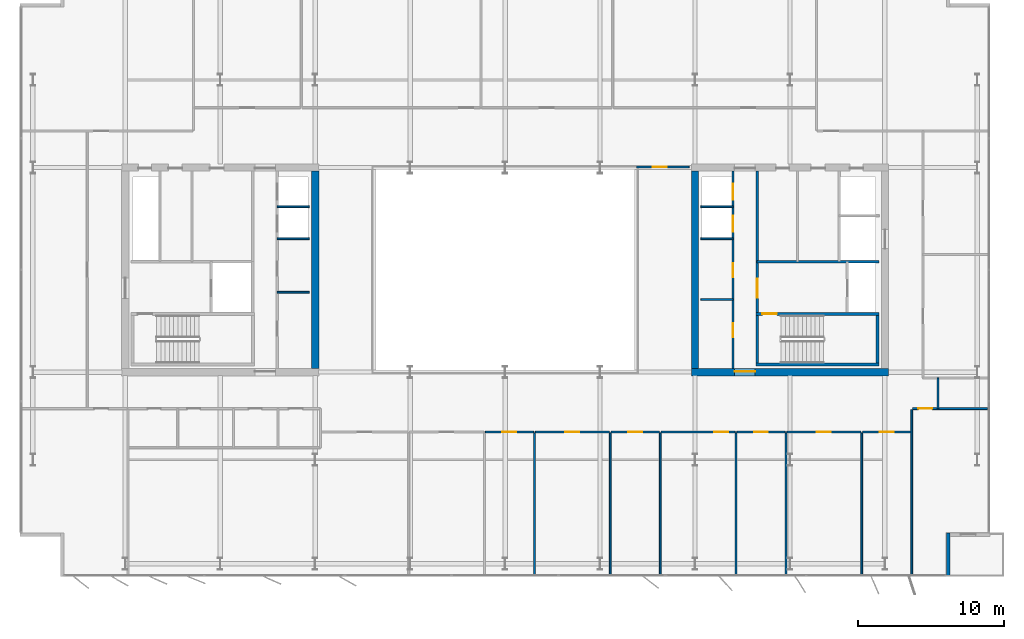
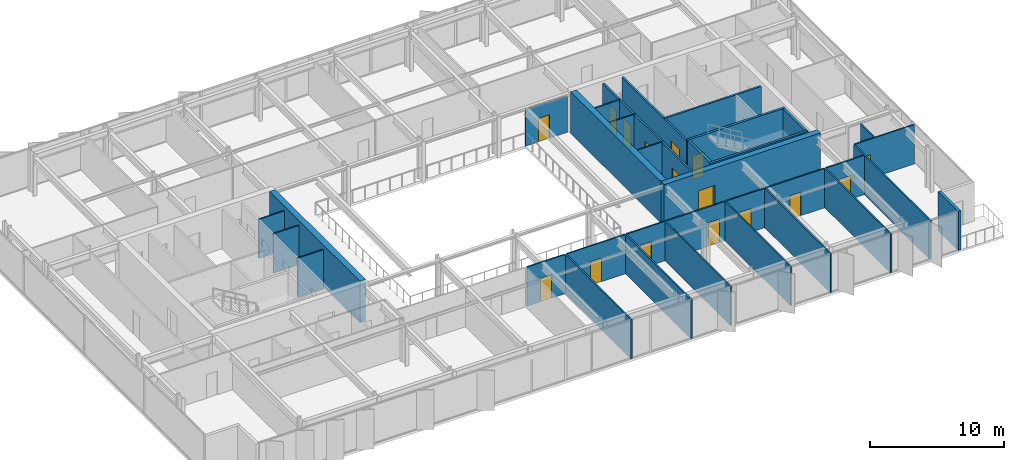
# One storey, part 18 of 24: 34 walls, 16 doors, 16 openings.
"""IFC4 building model written with IfcOpenShell, lengths in metres."""

from ifc_helpers import new_model, si_unit, direction, frame, frame_2d, origin, place, context, subcontext, project, spatial, rectangle, extrude, material, layer, layer_set, type_object, element, fill, save


model = new_model("IFC4")

# Units and contexts
model_context = context("Model", 3, precision=1e-05, world=origin(), true_north=direction((0.0, 1.0)))
body_context = subcontext(model_context, "Body", "Model", "MODEL_VIEW")
ifc_project = project(units=[si_unit("LENGTHUNIT", "METRE"), si_unit("AREAUNIT", "SQUARE_METRE"), si_unit("VOLUMEUNIT", "CUBIC_METRE"), si_unit("PLANEANGLEUNIT", "RADIAN"), si_unit("MASSUNIT", "GRAM", prefix="KILO")], contexts=[model_context])

# Site, building, storey
site_placement = place(None, origin())
site = spatial("IfcSite", under=ifc_project, at=site_placement, CompositionType="ELEMENT")
building_placement = place(site_placement, origin())
building = spatial("IfcBuilding", under=site, at=building_placement, Name="Putna Gate Headquarters", CompositionType="ELEMENT")
storey_placement = place(building_placement, frame((0.0, 0.0, 240.39990234375)))
storey = spatial("IfcBuildingStorey", under=building, at=storey_placement, Name="L60", CompositionType="ELEMENT", Elevation=240.39990234375)

# Wall
ifc_material_1 = material(Name="Concrete C50/60", Category="concrete")
ifc_layer_1 = layer(ifc_material_1, 0.5)
ifc_layer_set_1 = layer_set([ifc_layer_1], Name="Concrete C50/60")
wall_type_1 = type_object("IfcWallType", Name="WALL-CORE-500", PredefinedType="SHEAR", material=ifc_layer_set_1)
wall_1_placement = place(storey_placement, frame((26.0, 19.25, 0.0), z_axis=(0.0, 0.0, 1.0), x_axis=(0.0, 1.0, 0.0)))
element("IfcWall", 1, at=wall_1_placement, inside=storey, type_object=wall_type_1, Name="L60 WC Split Core Shear Wall E", PredefinedType="SHEAR", context=body_context, shape_type="SweptSolid", body=[
    extrude(rectangle(XDim=13.5, YDim=0.5, at=frame_2d((6.75, 0.0))), origin(), (0.0, 0.0, 1.0), 3.800048828125),
])

# Wall, opening, door
wall_2_placement = place(storey_placement, frame((51.75, 19.0, 0.0), z_axis=(0.0, 0.0, 1.0), x_axis=(1.0, 0.0, 0.0)))
wall_2 = element("IfcWall", 2, at=wall_2_placement, inside=storey, type_object=wall_type_1, Name="L60 EC Split Core Shear Wall S", PredefinedType="SHEAR", context=body_context, shape_type="SweptSolid", body=[
    extrude(rectangle(XDim=13.5, YDim=0.5, at=frame_2d((6.75, 0.0))), origin(), (0.0, 0.0, 1.0), 3.800048828125),
])
opening_1_placement = place(wall_2_placement, frame((2.969970703125, 0.0, 0.0)))
opening_1 = element("IfcOpeningElement", 3, at=opening_1_placement, cuts=wall_2, Name="Opening FDD-140", PredefinedType="OPENING", context=body_context, shape_type="SweptSolid", body=[
    extrude(rectangle(XDim=1.39990234375, YDim=2.199951171875, at=frame_2d((0.699951171875, 1.10009765625))), frame((0.0, 0.260009765625, 0.0), z_axis=(0.0, -1.0, 0.0), x_axis=(1.0, 0.0, 0.0)), (0.0, 0.0, 1.0), 0.52001953125),
])
ifc_material_2 = material(Name="Double steel fire door", Category="steel")
door_type_1 = type_object("IfcDoorType", Name="DOOR-FIRE-DBL-1400", OperationType="DOUBLE_DOOR_SINGLE_SWING", PredefinedType="DOOR", material=ifc_material_2)
door_1_placement = place(opening_1_placement, origin())
door_1 = element("IfcDoor", 4, at=door_1_placement, inside=storey, type_object=door_type_1, Name="L60 East Lift Lobby South Door", OperationType="DOUBLE_DOOR_SINGLE_SWING", OverallHeight=2.199951171875, OverallWidth=1.39990234375, PredefinedType="DOOR", context=body_context, shape_type="SweptSolid", body=[
    extrude(rectangle(XDim=1.39990234375, YDim=2.199951171875, at=frame_2d((0.699951171875, 1.10009765625))), frame((0.0, 0.0751953125, 0.0), z_axis=(0.0, -1.0, 0.0), x_axis=(1.0, 0.0, 0.0)), (0.0, 0.0, 1.0), 0.050048828125),
])
fill(opening_1, door_1)

# Walls
wall_3_placement = place(storey_placement, frame((52.0, 19.25, 0.0), z_axis=(0.0, 0.0, 1.0), x_axis=(0.0, 1.0, 0.0)))
element("IfcWall", 5, at=wall_3_placement, inside=storey, type_object=wall_type_1, Name="L60 EC Split Core Shear Wall W", PredefinedType="SHEAR", context=body_context, shape_type="SweptSolid", body=[
    extrude(rectangle(XDim=13.5, YDim=0.5, at=frame_2d((6.75, 0.0))), origin(), (0.0, 0.0, 1.0), 3.800048828125),
])
ifc_material_3 = material(Name="Precast concrete C40/50", Category="concrete")
ifc_layer_2 = layer(ifc_material_3, 0.239990234375)
ifc_layer_set_2 = layer_set([ifc_layer_2], Name="Precast concrete C40/50")
wall_type_2 = type_object("IfcWallType", Name="WALL-EXT-TERR-240", PredefinedType="STANDARD", material=ifc_layer_set_2)
wall_4_placement = place(storey_placement, frame((69.320068359375, 8.0, 0.0), z_axis=(0.0, 0.0, 1.0), x_axis=(0.0, -1.0, 0.0)))
element("IfcWall", 6, at=wall_4_placement, inside=storey, type_object=wall_type_2, Name="L60 Corner Notch Return Wall SE-V", PredefinedType="STANDARD", context=body_context, shape_type="SweptSolid", body=[
    extrude(rectangle(XDim=3.0, YDim=0.239990234375, at=frame_2d((1.5, 0.0))), origin(), (0.0, 0.0, 1.0), 3.580078125),
])

# Wall, opening, door
ifc_material_4 = material(Name="Acoustic gypsum board on metal stud")
ifc_layer_3 = layer(ifc_material_4, 0.1201171875)
ifc_layer_set_3 = layer_set([ifc_layer_3], Name="Acoustic gypsum board on metal stud")
wall_type_3 = type_object("IfcWallType", Name="WALL-PART-120", PredefinedType="PARTITIONING", material=ifc_layer_set_3)
wall_5_placement = place(storey_placement, frame((48.0, 33.0400390625, 0.0), z_axis=(0.0, 0.0, 1.0), x_axis=(1.0, 0.0, 0.0)))
wall_5 = element("IfcWall", 7, at=wall_5_placement, inside=storey, type_object=wall_type_3, Name="L60 Interior Wall PART-L60-ATR-E-N", PredefinedType="PARTITIONING", context=body_context, shape_type="SweptSolid", body=[
    extrude(rectangle(XDim=3.60009765625, YDim=0.1201171875, at=frame_2d((1.800048828125, 0.0))), origin(), (0.0, 0.0, 1.0), 3.320068359375),
])
opening_2_placement = place(wall_5_placement, frame((1.10009765625, 0.0, 0.0)))
opening_2 = element("IfcOpeningElement", 8, at=opening_2_placement, cuts=wall_5, Name="Opening ID-95", PredefinedType="OPENING", context=body_context, shape_type="SweptSolid", body=[
    extrude(rectangle(XDim=0.949951171875, YDim=2.14990234375, at=frame_2d((0.47509765625, 1.074951171875))), frame((0.0, 0.070068359375, 0.0), z_axis=(0.0, -1.0, 0.0), x_axis=(1.0, 0.0, 0.0)), (0.0, 0.0, 1.0), 0.14013671875),
])
ifc_material_5 = material(Name="Veneered acoustic timber door", Category="wood")
door_type_2 = type_object("IfcDoorType", Name="DOOR-OFF-950", OperationType="NOTDEFINED", PredefinedType="DOOR", material=ifc_material_5)
door_2_placement = place(opening_2_placement, origin())
door_2 = element("IfcDoor", 9, at=door_2_placement, inside=storey, type_object=door_type_2, Name="L60 East Sky Atrium Lounge Door", OperationType="SINGLE_SWING_LEFT", OverallHeight=2.14990234375, OverallWidth=0.949951171875, PredefinedType="DOOR", context=body_context, shape_type="SweptSolid", body=[
    extrude(rectangle(XDim=0.949951171875, YDim=2.14990234375, at=frame_2d((0.47509765625, 1.074951171875))), frame((0.0, 0.02490234375, 0.0), z_axis=(0.0, -1.0, 0.0), x_axis=(1.0, 0.0, 0.0)), (0.0, 0.0, 1.0), 0.050048828125),
])
fill(opening_2, door_2)

# Walls
for number, where, z_axis, x_axis, name in (
    (10, (41.007568359375, 5.02001953125, 0.0), (0.0, 0.0, 1.0), (0.0, 1.0, 0.0), "L60 Interior Wall PART-L60-SB-DIV-04"),
    (11, (46.197509765625, 5.02001953125, 0.0), (0.0, 0.0, 1.0), (0.0, 1.0, 0.0), "L60 Interior Wall PART-L60-SB-DIV-05"),
    (12, (49.614990234375, 5.02001953125, 0.0), (0.0, 0.0, 1.0), (0.0, 1.0, 0.0), "L60 Interior Wall PART-L60-SB-DIV-06"),
    (13, (54.804931640625, 5.02001953125, 0.0), (0.0, 0.0, 1.0), (0.0, 1.0, 0.0), "L60 Interior Wall PART-L60-SB-DIV-07"),
    (14, (58.22265625, 5.02001953125, 0.0), (0.0, 0.0, 1.0), (0.0, 1.0, 0.0), "L60 Interior Wall PART-L60-SB-DIV-08"),
    (15, (63.41259765625, 5.02001953125, 0.0), (0.0, 0.0, 1.0), (0.0, 1.0, 0.0), "L60 Interior Wall PART-L60-SB-DIV-09"),
):
    element("IfcWall", number, at=place(storey_placement, frame(where, z_axis=z_axis, x_axis=x_axis)), inside=storey, type_object=wall_type_3, Name=name, PredefinedType="PARTITIONING", context=body_context, shape_type="SweptSolid", body=[
        extrude(rectangle(XDim=9.820068359375, YDim=0.1201171875, at=frame_2d((4.91015625, 0.0))), origin(), (0.0, 0.0, 1.0), 3.580078125),
    ])
wall_6_placement = place(storey_placement, frame((66.830078125, 5.02001953125, 0.0), z_axis=(0.0, 0.0, 1.0), x_axis=(0.0, 1.0, 0.0)))
element("IfcWall", 16, at=wall_6_placement, inside=storey, type_object=wall_type_3, Name="L60 Interior Wall PART-L60-SB-DIV-10", PredefinedType="PARTITIONING", context=body_context, shape_type="SweptSolid", body=[
    extrude(rectangle(XDim=11.419921875, YDim=0.1201171875, at=frame_2d((5.7099609375, 0.0))), origin(), (0.0, 0.0, 1.0), 3.580078125),
])
ifc_material_6 = material(Name="Fire-rated shaftwall gypsum board on metal stud")
ifc_layer_4 = layer(ifc_material_6, 0.1201171875)
ifc_layer_set_4 = layer_set([ifc_layer_4], Name="Fire-rated shaftwall gypsum board on metal stud")
wall_type_4 = type_object("IfcWallType", Name="WALL-PART-120-EI120", PredefinedType="PARTITIONING", material=ifc_layer_set_4)
for number, where, z_axis, x_axis, name in (
    (17, (23.39990234375, 30.31005859375, 0.0), (0.0, 0.0, 1.0), (1.0, 0.0, 0.0), "L60 Interior Wall CWINT-L60-WC-LF09-DIV"),
    (18, (52.39990234375, 30.31005859375, 0.0), (0.0, 0.0, 1.0), (1.0, 0.0, 0.0), "L60 Interior Wall CWINT-L60-EC-LF11-DIV"),
):
    element("IfcWall", number, at=place(storey_placement, frame(where, z_axis=z_axis, x_axis=x_axis)), inside=storey, type_object=wall_type_4, Name=name, PredefinedType="PARTITIONING", context=body_context, shape_type="SweptSolid", body=[
        extrude(rectangle(XDim=2.2001953125, YDim=0.1201171875, at=frame_2d((1.10009765625, 0.0))), origin(), (0.0, 0.0, 1.0), 3.580078125),
    ])
ifc_material_7 = material(Name="Fire-rated gypsum board on metal stud")
ifc_layer_5 = layer(ifc_material_7, 0.1201171875)
ifc_layer_set_5 = layer_set([ifc_layer_5], Name="Fire-rated gypsum board on metal stud")
wall_type_5 = type_object("IfcWallType", Name="WALL-PART-120-RATED", PredefinedType="PARTITIONING", material=ifc_layer_set_5)
for number, where, z_axis, x_axis, name in (
    (19, (23.39990234375, 24.469970703125, 0.0), (0.0, 0.0, 1.0), (1.0, 0.0, 0.0), "L60 Interior Wall CWINT-L60-WC-REUSE-DIV"),
    (20, (23.39990234375, 28.1201171875, 0.0), (0.0, 0.0, 1.0), (1.0, 0.0, 0.0), "L60 Interior Wall CWINT-L60-WC-LF06-DIV"),
    (21, (52.39990234375, 23.969970703125, 0.0), (0.0, 0.0, 1.0), (1.0, 0.0, 0.0), "L60 Interior Wall CWINT-L60-EC-REUSE-DIV"),
    (22, (52.39990234375, 28.1201171875, 0.0), (0.0, 0.0, 1.0), (1.0, 0.0, 0.0), "L60 Interior Wall CWINT-L60-EC-LF08-DIV"),
):
    element("IfcWall", number, at=place(storey_placement, frame(where, z_axis=z_axis, x_axis=x_axis)), inside=storey, type_object=wall_type_5, Name=name, PredefinedType="PARTITIONING", context=body_context, shape_type="SweptSolid", body=[
        extrude(rectangle(XDim=2.2001953125, YDim=0.1201171875, at=frame_2d((1.10009765625, 0.0))), origin(), (0.0, 0.0, 1.0), 3.580078125),
    ])
wall_7_placement = place(storey_placement, frame((68.630126953125, 16.5, 0.0), z_axis=(0.0, 0.0, 1.0), x_axis=(0.0, 1.0, 0.0)))
element("IfcWall", 23, at=wall_7_placement, inside=storey, type_object=wall_type_5, Name="L60 Interior Wall PART-L60-CORRS-CAPE", PredefinedType="PARTITIONING", context=body_context, shape_type="SweptSolid", body=[
    extrude(rectangle(XDim=2.10009765625, YDim=0.1201171875, at=frame_2d((1.050048828125, 0.0))), origin(), (0.0, 0.0, 1.0), 3.580078125),
])

# Wall, opening, door
wall_8_placement = place(storey_placement, frame((37.64990234375, 14.89990234375, 0.0), z_axis=(0.0, 0.0, 1.0), x_axis=(1.0, 0.0, 0.0)))
wall_8 = element("IfcWall", 24, at=wall_8_placement, inside=storey, type_object=wall_type_5, Name="L60 Interior Wall PART-L60-SB-CW-04", PredefinedType="PARTITIONING", context=body_context, shape_type="SweptSolid", body=[
    extrude(rectangle(XDim=3.297607421875, YDim=0.1201171875, at=frame_2d((1.64892578125, 0.0))), origin(), (0.0, 0.0, 1.0), 3.580078125),
])
opening_3_placement = place(wall_8_placement, frame((1.173828125, 0.0, 0.0)))
opening_3 = element("IfcOpeningElement", 25, at=opening_3_placement, cuts=wall_8, Name="Opening FD-95", PredefinedType="OPENING", context=body_context, shape_type="SweptSolid", body=[
    extrude(rectangle(XDim=0.949951171875, YDim=2.14990234375, at=frame_2d((0.47509765625, 1.074951171875))), frame((0.0, 0.070068359375, 0.0), z_axis=(0.0, -1.0, 0.0), x_axis=(1.0, 0.0, 0.0)), (0.0, 0.0, 1.0), 0.14013671875),
])
ifc_material_8 = material(Name="Acoustic timber fire door", Category="wood")
door_type_3 = type_object("IfcDoorType", Name="DOOR-FIRE-950", OperationType="NOTDEFINED", PredefinedType="DOOR", material=ifc_material_8)
door_3_placement = place(opening_3_placement, origin())
door_3 = element("IfcDoor", 26, at=door_3_placement, inside=storey, type_object=door_type_3, Name="L60 Quiet Wellness Focus Studio 2 Door", OperationType="SINGLE_SWING_LEFT", OverallHeight=2.14990234375, OverallWidth=0.949951171875, PredefinedType="DOOR", context=body_context, shape_type="SweptSolid", body=[
    extrude(rectangle(XDim=0.949951171875, YDim=2.14990234375, at=frame_2d((0.47509765625, 1.074951171875))), frame((0.0, 0.02490234375, 0.0), z_axis=(0.0, -1.0, 0.0), x_axis=(1.0, 0.0, 0.0)), (0.0, 0.0, 1.0), 0.050048828125),
])
fill(opening_3, door_3)

wall_9_placement = place(storey_placement, frame((41.0673828125, 14.89990234375, 0.0), z_axis=(0.0, 0.0, 1.0), x_axis=(1.0, 0.0, 0.0)))
wall_9 = element("IfcWall", 27, at=wall_9_placement, inside=storey, type_object=wall_type_5, Name="L60 Interior Wall PART-L60-SB-CW-05", PredefinedType="PARTITIONING", context=body_context, shape_type="SweptSolid", body=[
    extrude(rectangle(XDim=5.070068359375, YDim=0.1201171875, at=frame_2d((2.53515625, 0.0))), origin(), (0.0, 0.0, 1.0), 3.580078125),
])
opening_4_placement = place(wall_9_placement, frame((2.06005859375, 0.0, 0.0)))
opening_4 = element("IfcOpeningElement", 28, at=opening_4_placement, cuts=wall_9, Name="Opening FD-95", PredefinedType="OPENING", context=body_context, shape_type="SweptSolid", body=[
    extrude(rectangle(XDim=0.949951171875, YDim=2.14990234375, at=frame_2d((0.47509765625, 1.074951171875))), frame((0.0, 0.070068359375, 0.0), z_axis=(0.0, -1.0, 0.0), x_axis=(1.0, 0.0, 0.0)), (0.0, 0.0, 1.0), 0.14013671875),
])
door_4_placement = place(opening_4_placement, origin())
door_4 = element("IfcDoor", 29, at=door_4_placement, inside=storey, type_object=door_type_3, Name="L60 Cellular Office 1 Door", OperationType="SINGLE_SWING_RIGHT", OverallHeight=2.14990234375, OverallWidth=0.949951171875, PredefinedType="DOOR", context=body_context, shape_type="SweptSolid", body=[
    extrude(rectangle(XDim=0.949951171875, YDim=2.14990234375, at=frame_2d((0.47509765625, 1.074951171875))), frame((0.0, 0.02490234375, 0.0), z_axis=(0.0, -1.0, 0.0), x_axis=(1.0, 0.0, 0.0)), (0.0, 0.0, 1.0), 0.050048828125),
])
fill(opening_4, door_4)

wall_10_placement = place(storey_placement, frame((46.25732421875, 14.89990234375, 0.0), z_axis=(0.0, 0.0, 1.0), x_axis=(1.0, 0.0, 0.0)))
wall_10 = element("IfcWall", 30, at=wall_10_placement, inside=storey, type_object=wall_type_5, Name="L60 Interior Wall PART-L60-SB-CW-06", PredefinedType="PARTITIONING", context=body_context, shape_type="SweptSolid", body=[
    extrude(rectangle(XDim=3.2978515625, YDim=0.1201171875, at=frame_2d((1.64892578125, 0.0))), origin(), (0.0, 0.0, 1.0), 3.580078125),
])
opening_5_placement = place(wall_10_placement, frame((1.173828125, 0.0, 0.0)))
opening_5 = element("IfcOpeningElement", 31, at=opening_5_placement, cuts=wall_10, Name="Opening FD-95", PredefinedType="OPENING", context=body_context, shape_type="SweptSolid", body=[
    extrude(rectangle(XDim=0.949951171875, YDim=2.14990234375, at=frame_2d((0.47509765625, 1.074951171875))), frame((0.0, 0.070068359375, 0.0), z_axis=(0.0, -1.0, 0.0), x_axis=(1.0, 0.0, 0.0)), (0.0, 0.0, 1.0), 0.14013671875),
])
door_5_placement = place(opening_5_placement, origin())
door_5 = element("IfcDoor", 32, at=door_5_placement, inside=storey, type_object=door_type_3, Name="L60 Cellular Office 2 Door", OperationType="SINGLE_SWING_LEFT", OverallHeight=2.14990234375, OverallWidth=0.949951171875, PredefinedType="DOOR", context=body_context, shape_type="SweptSolid", body=[
    extrude(rectangle(XDim=0.949951171875, YDim=2.14990234375, at=frame_2d((0.47509765625, 1.074951171875))), frame((0.0, 0.02490234375, 0.0), z_axis=(0.0, -1.0, 0.0), x_axis=(1.0, 0.0, 0.0)), (0.0, 0.0, 1.0), 0.050048828125),
])
fill(opening_5, door_5)

wall_11_placement = place(storey_placement, frame((49.675048828125, 14.89990234375, 0.0), z_axis=(0.0, 0.0, 1.0), x_axis=(1.0, 0.0, 0.0)))
wall_11 = element("IfcWall", 33, at=wall_11_placement, inside=storey, type_object=wall_type_5, Name="L60 Interior Wall PART-L60-SB-CW-07", PredefinedType="PARTITIONING", context=body_context, shape_type="SweptSolid", body=[
    extrude(rectangle(XDim=5.06982421875, YDim=0.1201171875, at=frame_2d((2.534912109375, 0.0))), origin(), (0.0, 0.0, 1.0), 3.580078125),
])
opening_6_placement = place(wall_11_placement, frame((3.639892578125, 0.0, 0.0)))
opening_6 = element("IfcOpeningElement", 34, at=opening_6_placement, cuts=wall_11, Name="Opening FD-95", PredefinedType="OPENING", context=body_context, shape_type="SweptSolid", body=[
    extrude(rectangle(XDim=0.949951171875, YDim=2.14990234375, at=frame_2d((0.47509765625, 1.074951171875))), frame((0.0, 0.070068359375, 0.0), z_axis=(0.0, -1.0, 0.0), x_axis=(1.0, 0.0, 0.0)), (0.0, 0.0, 1.0), 0.14013671875),
])
door_6_placement = place(opening_6_placement, origin())
door_6 = element("IfcDoor", 35, at=door_6_placement, inside=storey, type_object=door_type_3, Name="L60 Cellular Office 3 Door", OperationType="SINGLE_SWING_RIGHT", OverallHeight=2.14990234375, OverallWidth=0.949951171875, PredefinedType="DOOR", context=body_context, shape_type="SweptSolid", body=[
    extrude(rectangle(XDim=0.949951171875, YDim=2.14990234375, at=frame_2d((0.47509765625, 1.074951171875))), frame((0.0, 0.02490234375, 0.0), z_axis=(0.0, -1.0, 0.0), x_axis=(1.0, 0.0, 0.0)), (0.0, 0.0, 1.0), 0.050048828125),
])
fill(opening_6, door_6)

wall_12_placement = place(storey_placement, frame((54.864990234375, 14.89990234375, 0.0), z_axis=(0.0, 0.0, 1.0), x_axis=(1.0, 0.0, 0.0)))
wall_12 = element("IfcWall", 36, at=wall_12_placement, inside=storey, type_object=wall_type_5, Name="L60 Interior Wall PART-L60-SB-CW-08", PredefinedType="PARTITIONING", context=body_context, shape_type="SweptSolid", body=[
    extrude(rectangle(XDim=3.297607421875, YDim=0.1201171875, at=frame_2d((1.64892578125, 0.0))), origin(), (0.0, 0.0, 1.0), 3.580078125),
])
opening_7_placement = place(wall_12_placement, frame((1.173828125, 0.0, 0.0)))
opening_7 = element("IfcOpeningElement", 37, at=opening_7_placement, cuts=wall_12, Name="Opening FD-95", PredefinedType="OPENING", context=body_context, shape_type="SweptSolid", body=[
    extrude(rectangle(XDim=0.949951171875, YDim=2.14990234375, at=frame_2d((0.47509765625, 1.074951171875))), frame((0.0, 0.070068359375, 0.0), z_axis=(0.0, -1.0, 0.0), x_axis=(1.0, 0.0, 0.0)), (0.0, 0.0, 1.0), 0.14013671875),
])
door_7_placement = place(opening_7_placement, origin())
door_7 = element("IfcDoor", 38, at=door_7_placement, inside=storey, type_object=door_type_3, Name="L60 Cellular Office 4 Door", OperationType="SINGLE_SWING_LEFT", OverallHeight=2.14990234375, OverallWidth=0.949951171875, PredefinedType="DOOR", context=body_context, shape_type="SweptSolid", body=[
    extrude(rectangle(XDim=0.949951171875, YDim=2.14990234375, at=frame_2d((0.47509765625, 1.074951171875))), frame((0.0, 0.02490234375, 0.0), z_axis=(0.0, -1.0, 0.0), x_axis=(1.0, 0.0, 0.0)), (0.0, 0.0, 1.0), 0.050048828125),
])
fill(opening_7, door_7)

wall_13_placement = place(storey_placement, frame((58.28271484375, 14.89990234375, 0.0), z_axis=(0.0, 0.0, 1.0), x_axis=(1.0, 0.0, 0.0)))
wall_13 = element("IfcWall", 39, at=wall_13_placement, inside=storey, type_object=wall_type_5, Name="L60 Interior Wall PART-L60-SB-CW-09", PredefinedType="PARTITIONING", context=body_context, shape_type="SweptSolid", body=[
    extrude(rectangle(XDim=5.06982421875, YDim=0.1201171875, at=frame_2d((2.534912109375, 0.0))), origin(), (0.0, 0.0, 1.0), 3.580078125),
])
opening_8_placement = place(wall_13_placement, frame((2.059814453125, 0.0, 0.0)))
opening_8 = element("IfcOpeningElement", 40, at=opening_8_placement, cuts=wall_13, Name="Opening FD-95", PredefinedType="OPENING", context=body_context, shape_type="SweptSolid", body=[
    extrude(rectangle(XDim=0.949951171875, YDim=2.14990234375, at=frame_2d((0.47509765625, 1.074951171875))), frame((0.0, 0.070068359375, 0.0), z_axis=(0.0, -1.0, 0.0), x_axis=(1.0, 0.0, 0.0)), (0.0, 0.0, 1.0), 0.14013671875),
])
door_8_placement = place(opening_8_placement, origin())
door_8 = element("IfcDoor", 41, at=door_8_placement, inside=storey, type_object=door_type_3, Name="L60 Cellular Office 5 Door", OperationType="SINGLE_SWING_RIGHT", OverallHeight=2.14990234375, OverallWidth=0.949951171875, PredefinedType="DOOR", context=body_context, shape_type="SweptSolid", body=[
    extrude(rectangle(XDim=0.949951171875, YDim=2.14990234375, at=frame_2d((0.47509765625, 1.074951171875))), frame((0.0, 0.02490234375, 0.0), z_axis=(0.0, -1.0, 0.0), x_axis=(1.0, 0.0, 0.0)), (0.0, 0.0, 1.0), 0.050048828125),
])
fill(opening_8, door_8)

wall_14_placement = place(storey_placement, frame((63.472412109375, 14.89990234375, 0.0), z_axis=(0.0, 0.0, 1.0), x_axis=(1.0, 0.0, 0.0)))
wall_14 = element("IfcWall", 42, at=wall_14_placement, inside=storey, type_object=wall_type_5, Name="L60 Interior Wall PART-L60-SB-CW-10", PredefinedType="PARTITIONING", context=body_context, shape_type="SweptSolid", body=[
    extrude(rectangle(XDim=3.2978515625, YDim=0.1201171875, at=frame_2d((1.64892578125, 0.0))), origin(), (0.0, 0.0, 1.0), 3.580078125),
])
opening_9_placement = place(wall_14_placement, frame((1.173828125, 0.0, 0.0)))
opening_9 = element("IfcOpeningElement", 43, at=opening_9_placement, cuts=wall_14, Name="Opening FD-95", PredefinedType="OPENING", context=body_context, shape_type="SweptSolid", body=[
    extrude(rectangle(XDim=0.949951171875, YDim=2.14990234375, at=frame_2d((0.47509765625, 1.074951171875))), frame((0.0, 0.070068359375, 0.0), z_axis=(0.0, -1.0, 0.0), x_axis=(1.0, 0.0, 0.0)), (0.0, 0.0, 1.0), 0.14013671875),
])
door_9_placement = place(opening_9_placement, origin())
door_9 = element("IfcDoor", 44, at=door_9_placement, inside=storey, type_object=door_type_3, Name="L60 Cellular Office 6 Door", OperationType="SINGLE_SWING_LEFT", OverallHeight=2.14990234375, OverallWidth=0.949951171875, PredefinedType="DOOR", context=body_context, shape_type="SweptSolid", body=[
    extrude(rectangle(XDim=0.949951171875, YDim=2.14990234375, at=frame_2d((0.47509765625, 1.074951171875))), frame((0.0, 0.02490234375, 0.0), z_axis=(0.0, -1.0, 0.0), x_axis=(1.0, 0.0, 0.0)), (0.0, 0.0, 1.0), 0.050048828125),
])
fill(opening_9, door_9)

wall_15_placement = place(storey_placement, frame((66.89013671875, 16.5, 0.0), z_axis=(0.0, 0.0, 1.0), x_axis=(1.0, 0.0, 0.0)))
wall_15 = element("IfcWall", 45, at=wall_15_placement, inside=storey, type_object=wall_type_5, Name="L60 Interior Wall PART-L60-SB-CW-11", PredefinedType="PARTITIONING", context=body_context, shape_type="SweptSolid", body=[
    extrude(rectangle(XDim=5.1298828125, YDim=0.1201171875, at=frame_2d((2.56494140625, 0.0))), origin(), (0.0, 0.0, 1.0), 3.580078125),
])
opening_10_placement = place(wall_15_placement, frame((0.39501953125, 0.0, 0.0)))
opening_10 = element("IfcOpeningElement", 46, at=opening_10_placement, cuts=wall_15, Name="Opening FD-95", PredefinedType="OPENING", context=body_context, shape_type="SweptSolid", body=[
    extrude(rectangle(XDim=0.949951171875, YDim=2.14990234375, at=frame_2d((0.47509765625, 1.074951171875))), frame((0.0, 0.070068359375, 0.0), z_axis=(0.0, -1.0, 0.0), x_axis=(1.0, 0.0, 0.0)), (0.0, 0.0, 1.0), 0.14013671875),
])
door_10_placement = place(opening_10_placement, origin())
door_10 = element("IfcDoor", 47, at=door_10_placement, inside=storey, type_object=door_type_3, Name="L60 Conference Meeting Room 3 Door", OperationType="SINGLE_SWING_RIGHT", OverallHeight=2.14990234375, OverallWidth=0.949951171875, PredefinedType="DOOR", context=body_context, shape_type="SweptSolid", body=[
    extrude(rectangle(XDim=0.949951171875, YDim=2.14990234375, at=frame_2d((0.47509765625, 1.074951171875))), frame((0.0, 0.02490234375, 0.0), z_axis=(0.0, -1.0, 0.0), x_axis=(1.0, 0.0, 0.0)), (0.0, 0.0, 1.0), 0.050048828125),
])
fill(opening_10, door_10)

# Wall, openings, doors
ifc_material_9 = material(Name="Concrete C40/50", Category="concrete")
ifc_layer_6 = layer(ifc_material_9, 0.159912109375)
ifc_layer_set_6 = layer_set([ifc_layer_6], Name="Concrete C40/50")
wall_type_6 = type_object("IfcWallType", Name="WALL-SHAFT-160", PredefinedType="STANDARD", material=ifc_layer_set_6)
wall_16_placement = place(storey_placement, frame((54.60009765625, 19.25, 0.0), z_axis=(0.0, 0.0, 1.0), x_axis=(0.0, 1.0, 0.0)))
wall_16 = element("IfcWall", 48, at=wall_16_placement, inside=storey, type_object=wall_type_6, Name="L60 Interior Wall CWINT-L60-EC-PL-WALL", PredefinedType="STANDARD", context=body_context, shape_type="SweptSolid", body=[
    extrude(rectangle(XDim=13.5, YDim=0.159912109375, at=frame_2d((6.75, 0.0))), origin(), (0.0, 0.0, 1.0), 3.580078125),
])
opening_11_placement = place(wall_16_placement, frame((2.14990234375, 0.0, 0.0)))
opening_11 = element("IfcOpeningElement", 49, at=opening_11_placement, cuts=wall_16, Name="Opening IDS-95", PredefinedType="OPENING", context=body_context, shape_type="SweptSolid", body=[
    extrude(rectangle(XDim=0.949951171875, YDim=2.14990234375, at=frame_2d((0.47509765625, 1.074951171875))), frame((0.0, 0.08984375, 0.0), z_axis=(0.0, -1.0, 0.0), x_axis=(1.0, 0.0, 0.0)), (0.0, 0.0, 1.0), 0.179931640625),
])
opening_12_placement = place(wall_16_placement, frame((6.25, 0.0, 0.0)))
opening_12 = element("IfcOpeningElement", 50, at=opening_12_placement, cuts=wall_16, Name="Opening IDS-95", PredefinedType="OPENING", context=body_context, shape_type="SweptSolid", body=[
    extrude(rectangle(XDim=0.949951171875, YDim=2.14990234375, at=frame_2d((0.47509765625, 1.074951171875))), frame((0.0, 0.08984375, 0.0), z_axis=(0.0, -1.0, 0.0), x_axis=(1.0, 0.0, 0.0)), (0.0, 0.0, 1.0), 0.179931640625),
])
opening_13_placement = place(wall_16_placement, frame((9.35009765625, 0.0, 0.0)))
opening_13 = element("IfcOpeningElement", 51, at=opening_13_placement, cuts=wall_16, Name="Opening LD-1", PredefinedType="OPENING", context=body_context, shape_type="SweptSolid", body=[
    extrude(rectangle(XDim=1.10009765625, YDim=2.199951171875, at=frame_2d((0.550048828125, 1.10009765625))), frame((0.0, 0.08984375, 0.0), z_axis=(0.0, -1.0, 0.0), x_axis=(1.0, 0.0, 0.0)), (0.0, 0.0, 1.0), 0.179931640625),
])
opening_14_placement = place(wall_16_placement, frame((11.550048828125, 0.0, 0.0)))
opening_14 = element("IfcOpeningElement", 52, at=opening_14_placement, cuts=wall_16, Name="Opening LD-1", PredefinedType="OPENING", context=body_context, shape_type="SweptSolid", body=[
    extrude(rectangle(XDim=1.10009765625, YDim=2.199951171875, at=frame_2d((0.550048828125, 1.10009765625))), frame((0.0, 0.08984375, 0.0), z_axis=(0.0, -1.0, 0.0), x_axis=(1.0, 0.0, 0.0)), (0.0, 0.0, 1.0), 0.179931640625),
])
ifc_material_10 = material(Name="Fire-rated service timber door", Category="wood")
door_type_4 = type_object("IfcDoorType", Name="DOOR-INT-950", OperationType="NOTDEFINED", PredefinedType="DOOR", material=ifc_material_10)
door_11_placement = place(opening_11_placement, origin())
door_11 = element("IfcDoor", 53, at=door_11_placement, inside=storey, type_object=door_type_4, Name="L60 Executive Archive Door", OperationType="SINGLE_SWING_RIGHT", OverallHeight=2.14990234375, OverallWidth=0.949951171875, PredefinedType="DOOR", context=body_context, shape_type="SweptSolid", body=[
    extrude(rectangle(XDim=0.949951171875, YDim=2.14990234375, at=frame_2d((0.47509765625, 1.074951171875))), frame((0.0, 0.02490234375, 0.0), z_axis=(0.0, -1.0, 0.0), x_axis=(1.0, 0.0, 0.0)), (0.0, 0.0, 1.0), 0.050048828125),
])
fill(opening_11, door_11)
door_12_placement = place(opening_12_placement, origin())
door_12 = element("IfcDoor", 54, at=door_12_placement, inside=storey, type_object=door_type_4, Name="L60 Comms Distribution Door", OperationType="SINGLE_SWING_LEFT", OverallHeight=2.14990234375, OverallWidth=0.949951171875, PredefinedType="DOOR", context=body_context, shape_type="SweptSolid", body=[
    extrude(rectangle(XDim=0.949951171875, YDim=2.14990234375, at=frame_2d((0.47509765625, 1.074951171875))), frame((0.0, 0.02490234375, 0.0), z_axis=(0.0, -1.0, 0.0), x_axis=(1.0, 0.0, 0.0)), (0.0, 0.0, 1.0), 0.050048828125),
])
fill(opening_12, door_12)
ifc_material_11 = material(Name="Brushed bronze stainless lift landing door")
door_type_5 = type_object("IfcDoorType", Name="DOOR-LIFT-1100", OperationType="DOUBLE_DOOR_SLIDING", PredefinedType="DOOR", material=ifc_material_11)
door_13_placement = place(opening_13_placement, origin())
door_13 = element("IfcDoor", 55, at=door_13_placement, inside=storey, type_object=door_type_5, Name="L60 Lift Landing Door LD-11", OperationType="DOUBLE_DOOR_SLIDING", OverallHeight=2.199951171875, OverallWidth=1.10009765625, PredefinedType="DOOR", context=body_context, shape_type="SweptSolid", body=[
    extrude(rectangle(XDim=1.10009765625, YDim=2.199951171875, at=frame_2d((0.550048828125, 1.10009765625))), frame((0.0, 0.02490234375, 0.0), z_axis=(0.0, -1.0, 0.0), x_axis=(1.0, 0.0, 0.0)), (0.0, 0.0, 1.0), 0.050048828125),
])
fill(opening_13, door_13)
door_14_placement = place(opening_14_placement, origin())
door_14 = element("IfcDoor", 56, at=door_14_placement, inside=storey, type_object=door_type_5, Name="L60 Lift Landing Door LD-12", OperationType="DOUBLE_DOOR_SLIDING", OverallHeight=2.199951171875, OverallWidth=1.10009765625, PredefinedType="DOOR", context=body_context, shape_type="SweptSolid", body=[
    extrude(rectangle(XDim=1.10009765625, YDim=2.199951171875, at=frame_2d((0.550048828125, 1.10009765625))), frame((0.0, 0.02490234375, 0.0), z_axis=(0.0, -1.0, 0.0), x_axis=(1.0, 0.0, 0.0)), (0.0, 0.0, 1.0), 0.050048828125),
])
fill(opening_14, door_14)

# Wall, opening, door
wall_17_placement = place(storey_placement, frame((56.260009765625, 23.090087890625, 0.0), z_axis=(0.0, 0.0, 1.0), x_axis=(0.0, 1.0, 0.0)))
wall_17 = element("IfcWall", 57, at=wall_17_placement, inside=storey, type_object=wall_type_6, Name="L60 Interior Wall CWINT-L60-EC-LOB-E", PredefinedType="STANDARD", context=body_context, shape_type="SweptSolid", body=[
    extrude(rectangle(XDim=9.659912109375, YDim=0.159912109375, at=frame_2d((4.830078125, 0.0))), origin(), (0.0, 0.0, 1.0), 3.580078125),
])
opening_15_placement = place(wall_17_placement, frame((1.010009765625, 0.0, 0.0)))
opening_15 = element("IfcOpeningElement", 58, at=opening_15_placement, cuts=wall_17, Name="Opening FDD-130", PredefinedType="OPENING", context=body_context, shape_type="SweptSolid", body=[
    extrude(rectangle(XDim=1.300048828125, YDim=2.199951171875, at=frame_2d((0.64990234375, 1.10009765625))), frame((0.0, 0.08984375, 0.0), z_axis=(0.0, -1.0, 0.0), x_axis=(1.0, 0.0, 0.0)), (0.0, 0.0, 1.0), 0.179931640625),
])
ifc_material_12 = material(Name="Double steel lobby fire door", Category="steel")
door_type_6 = type_object("IfcDoorType", Name="DOOR-FIRE-DBL-1300", OperationType="DOUBLE_DOOR_SINGLE_SWING", PredefinedType="DOOR", material=ifc_material_12)
door_15_placement = place(opening_15_placement, origin())
door_15 = element("IfcDoor", 59, at=door_15_placement, inside=storey, type_object=door_type_6, Name="L60 East Firefighting Lobby Door", OperationType="DOUBLE_DOOR_SINGLE_SWING", OverallHeight=2.199951171875, OverallWidth=1.300048828125, PredefinedType="DOOR", context=body_context, shape_type="SweptSolid", body=[
    extrude(rectangle(XDim=1.300048828125, YDim=2.199951171875, at=frame_2d((0.64990234375, 1.10009765625))), frame((0.0, 0.02490234375, 0.0), z_axis=(0.0, -1.0, 0.0), x_axis=(1.0, 0.0, 0.0)), (0.0, 0.0, 1.0), 0.050048828125),
])
fill(opening_15, door_15)

# Walls
wall_18_placement = place(storey_placement, frame((56.260009765625, 26.56005859375, 0.0), z_axis=(0.0, 0.0, 1.0), x_axis=(1.0, 0.0, 0.0)))
element("IfcWall", 60, at=wall_18_placement, inside=storey, type_object=wall_type_6, Name="L60 Interior Wall CWINT-L60-EC-FFL-N", PredefinedType="STANDARD", context=body_context, shape_type="SweptSolid", body=[
    extrude(rectangle(XDim=8.340087890625, YDim=0.159912109375, at=frame_2d((4.169921875, 0.0))), origin(), (0.0, 0.0, 1.0), 3.580078125),
])
ifc_layer_7 = layer(ifc_material_9, 0.199951171875)
ifc_layer_set_7 = layer_set([ifc_layer_7], Name="Concrete C40/50")
wall_type_7 = type_object("IfcWallType", Name="WALL-SHAFT-RC200", PredefinedType="SHEAR", material=ifc_layer_set_7)
wall_19_placement = place(storey_placement, frame((56.159912109375, 19.510009765625, 0.0), z_axis=(0.0, 0.0, 1.0), x_axis=(1.0, 0.0, 0.0)))
element("IfcWall", 61, at=wall_19_placement, inside=storey, type_object=wall_type_7, Name="L60 Stair ST2 Structural Shaft Wall S", PredefinedType="SHEAR", context=body_context, shape_type="SweptSolid", body=[
    extrude(rectangle(XDim=8.43017578125, YDim=0.199951171875, at=frame_2d((4.215087890625, 0.0))), origin(), (0.0, 0.0, 1.0), 3.800048828125),
])

# Wall, opening, door
wall_20_placement = place(storey_placement, frame((56.159912109375, 22.989990234375, 0.0), z_axis=(0.0, 0.0, 1.0), x_axis=(1.0, 0.0, 0.0)))
wall_20 = element("IfcWall", 62, at=wall_20_placement, inside=storey, type_object=wall_type_7, Name="L60 Stair ST2 Structural Shaft Wall N", PredefinedType="SHEAR", context=body_context, shape_type="SweptSolid", body=[
    extrude(rectangle(XDim=8.43017578125, YDim=0.199951171875, at=frame_2d((4.215087890625, 0.0))), origin(), (0.0, 0.0, 1.0), 3.800048828125),
])
opening_16_placement = place(wall_20_placement, frame((0.449951171875, 0.0, 0.0)))
opening_16 = element("IfcOpeningElement", 63, at=opening_16_placement, cuts=wall_20, Name="Opening FD-100", PredefinedType="OPENING", context=body_context, shape_type="SweptSolid", body=[
    extrude(rectangle(XDim=1.0, YDim=2.14990234375, at=frame_2d((0.5, 1.074951171875))), frame((0.0, 0.10986328125, 0.0), z_axis=(0.0, -1.0, 0.0), x_axis=(1.0, 0.0, 0.0)), (0.0, 0.0, 1.0), 0.219970703125),
])
ifc_material_13 = material(Name="Powder-coated steel fire door", Category="steel")
door_type_7 = type_object("IfcDoorType", Name="DOOR-FIRE-1000", OperationType="NOTDEFINED", PredefinedType="DOOR", material=ifc_material_13)
door_16_placement = place(opening_16_placement, origin())
door_16 = element("IfcDoor", 64, at=door_16_placement, inside=storey, type_object=door_type_7, Name="L60 Stair ST2 Fire Door", OperationType="SINGLE_SWING_RIGHT", OverallHeight=2.14990234375, OverallWidth=1.0, PredefinedType="DOOR", context=body_context, shape_type="SweptSolid", body=[
    extrude(rectangle(XDim=1.0, YDim=2.14990234375, at=frame_2d((0.5, 1.074951171875))), frame((0.0, 0.02490234375, 0.0), z_axis=(0.0, -1.0, 0.0), x_axis=(1.0, 0.0, 0.0)), (0.0, 0.0, 1.0), 0.050048828125),
])
fill(opening_16, door_16)

# Walls
for number, where, z_axis, x_axis, name in (
    (65, (56.260009765625, 19.610107421875, 0.0), (0.0, 0.0, 1.0), (0.0, 1.0, 0.0), "L60 Stair ST2 Structural Shaft Wall W"),
    (66, (64.489990234375, 19.610107421875, 0.0), (0.0, 0.0, 1.0), (0.0, 1.0, 0.0), "L60 Stair ST2 Structural Shaft Wall E"),
):
    element("IfcWall", number, at=place(storey_placement, frame(where, z_axis=z_axis, x_axis=x_axis)), inside=storey, type_object=wall_type_7, Name=name, PredefinedType="SHEAR", context=body_context, shape_type="SweptSolid", body=[
        extrude(rectangle(XDim=3.27978515625, YDim=0.199951171875, at=frame_2d((1.639892578125, 0.0))), origin(), (0.0, 0.0, 1.0), 3.800048828125),
    ])

save(model, "model.ifc")
